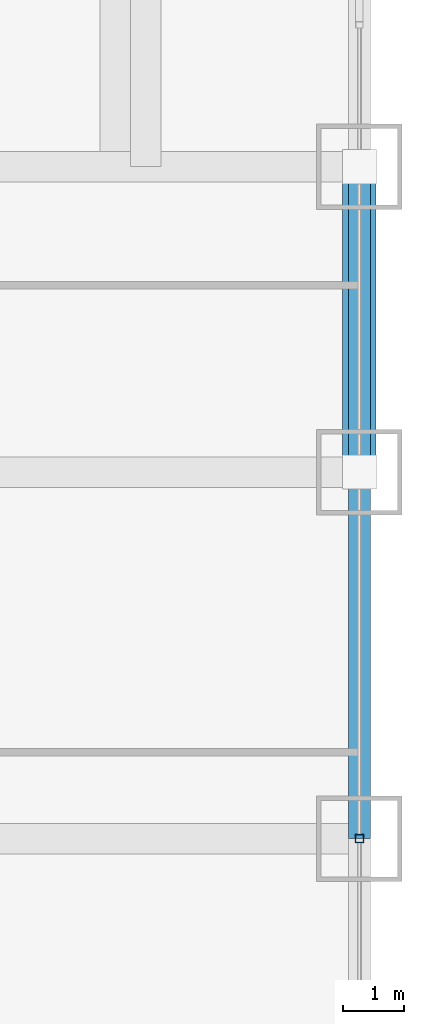
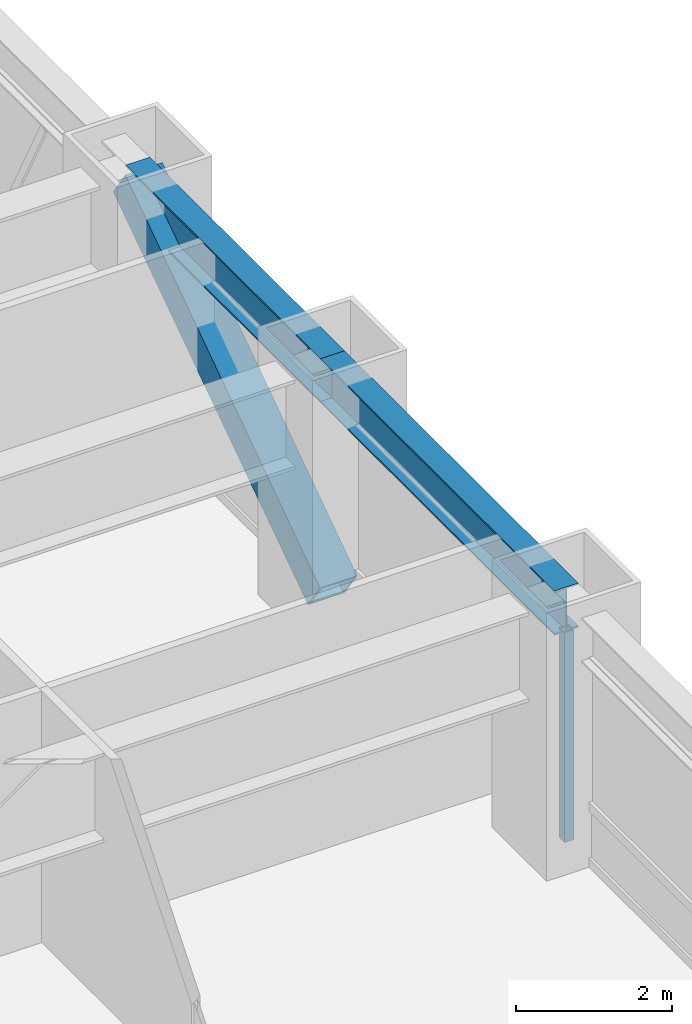
# One storey, part 14 of 29: 2 beams, 2 members, 1 element without a shape of its own.
"""IFC4 building model written with IfcOpenShell, lengths in metres."""

from ifc_helpers import new_model, si_unit, direction, frame, origin, origin_2d, place, context, subcontext, project, spatial, hollow_rectangle, i_section, extrude, source, transform, mapped, material, material_profile, profile_set, type_object, element, aggregate, save


model = new_model("IFC4")

# Units and contexts
model_context = context("Model", 3, precision=1e-05, world=origin(), true_north=direction((0.0, 1.0)))
body_context = subcontext(model_context, "Body", "Model", "MODEL_VIEW")
ifc_project = project(units=[si_unit("LENGTHUNIT", "METRE"), si_unit("AREAUNIT", "SQUARE_METRE"), si_unit("VOLUMEUNIT", "CUBIC_METRE"), si_unit("PLANEANGLEUNIT", "RADIAN"), si_unit("MASSUNIT", "GRAM", prefix="KILO")], contexts=[model_context])

# Site, building, storey
site_placement = place(None, origin())
site = spatial("IfcSite", under=ifc_project, at=site_placement, CompositionType="ELEMENT")
building_placement = place(site_placement, origin())
building = spatial("IfcBuilding", under=site, at=building_placement, Name="Khorayat Bourse Tower", CompositionType="ELEMENT")
storey_placement = place(building_placement, frame((0.0, 0.0, 87.199951171875)))
storey = spatial("IfcBuildingStorey", under=building, at=storey_placement, Name="L19", CompositionType="ELEMENT", Elevation=87.199951171875)

# Beams
ifc_material_1 = material(Name="Steel ASTM A992 Grade 50", Category="steel")
ifc_material_profile_1 = material_profile(ifc_material_1, i_section(OverallWidth=0.35498046875, OverallDepth=0.695068359375, WebThickness=0.015380859375, FlangeThickness=0.02490234375, FilletRadius=0.01806640625, at=origin_2d()), Name="W690X217")
ifc_profile_set_1 = profile_set([ifc_material_profile_1], Name="Steel ASTM A992 Grade 50")
beam_type = type_object("IfcBeamType", Name="BM-SPAN-690", PredefinedType="SPANDREL", material=ifc_profile_set_1)
shared_shape_1 = source(origin(), body_context, "Body", "SweptSolid", [
    extrude(i_section(OverallWidth=0.35498046875, OverallDepth=0.695068359375, WebThickness=0.015380859375, FlangeThickness=0.02490234375, FilletRadius=0.01806640625, at=origin_2d()), origin(), (0.0, 0.0, 1.0), 5.0),
])
beam_1_placement = place(storey_placement, frame((32.0, 6.0, 3.592529296875), z_axis=(0.0, 1.0, 0.0), x_axis=(-1.0, 0.0, 0.0)))
element("IfcBeam", 1, at=beam_1_placement, inside=storey, type_object=beam_type, Name="L19 BM-SPAN-690 BM-L19-SPN-039", PredefinedType="SPANDREL", context=body_context, shape_type="MappedRepresentation", body=[
    mapped(shared_shape_1, transform((0.0, 0.0, 0.0), scale=1.0)),
])
shared_shape_2 = source(origin(), body_context, "Body", "SweptSolid", [
    extrude(i_section(OverallWidth=0.35498046875, OverallDepth=0.695068359375, WebThickness=0.015380859375, FlangeThickness=0.02490234375, FilletRadius=0.01806640625, at=origin_2d()), origin(), (0.0, 0.0, 1.0), 6.0),
])
beam_2_placement = place(storey_placement, frame((32.0, 0.0, 3.592529296875), z_axis=(0.0, 1.0, 0.0), x_axis=(-1.0, 0.0, 0.0)))
element("IfcBeam", 2, at=beam_2_placement, inside=storey, type_object=beam_type, Name="L19 BM-SPAN-690 BM-L19-SPN-038", PredefinedType="SPANDREL", context=body_context, shape_type="MappedRepresentation", body=[
    mapped(shared_shape_2, transform((0.0, 0.0, 0.0), scale=1.0)),
])

# Member
ifc_material_2 = material(Name="Steel EN 10025-4 S460M", Category="steel")
ifc_material_profile_2 = material_profile(ifc_material_2, hollow_rectangle(XDim=0.550048828125, YDim=0.550048828125, WallThickness=0.031982421875, at=origin_2d()), Name="HSS 550x550x32")
ifc_profile_set_2 = profile_set([ifc_material_profile_2], Name="Steel EN 10025-4 S460M")
member_type_1 = type_object("IfcMemberType", Name="MBR-TUBE-550", PredefinedType="BRACE", material=ifc_profile_set_2)
shared_shape_3 = source(origin(), body_context, "Body", "SweptSolid", [
    extrude(hollow_rectangle(XDim=0.550048828125, YDim=0.550048828125, WallThickness=0.031982421875, at=origin_2d()), origin(), (0.0, 0.0, 1.0), 6.069091796875),
])
member_1_placement = place(storey_placement, frame((32.0, 6.0, 0.25), z_axis=(0.0, 0.823854080622, 0.566801952928), x_axis=(-1.0, 0.0, 0.0)))
element("IfcMember", 3, at=member_1_placement, inside=storey, type_object=member_type_1, Name="L19 Perimeter Tube Brace 08", PredefinedType="BRACE", context=body_context, shape_type="MappedRepresentation", body=[
    mapped(shared_shape_3, transform((0.0, 0.0, 0.0), scale=1.0)),
])

# Curtain wall, member
ifc_material_3 = material(Name="Aluminium EN AW-6063 T6", Category="aluminium")
curtain_wall_type = type_object("IfcCurtainWallType", Name="CW-SYS-02", PredefinedType="NOTDEFINED", material=ifc_material_3)
curtain_wall_placement = place(storey_placement, origin())
curtain_wall = element("IfcCurtainWall", 4, at=curtain_wall_placement, inside=storey, type_object=curtain_wall_type, Name="L19 Curtain Wall CW-L19-E1", PredefinedType="NOTDEFINED")
ifc_material_profile_3 = material_profile(ifc_material_3, hollow_rectangle(XDim=0.139892578125, YDim=0.139892578125, WallThickness=0.006103515625, at=origin_2d()), Name="ALU 140x140x6")
ifc_profile_set_3 = profile_set([ifc_material_profile_3], Name="Aluminium EN AW-6063 T6")
member_type_2 = type_object("IfcMemberType", Name="CWM-VERT-140", PredefinedType="MULLION", material=ifc_profile_set_3)
shared_shape_4 = source(origin(), body_context, "Body", "SweptSolid", [
    extrude(hollow_rectangle(XDim=0.139892578125, YDim=0.139892578125, WallThickness=0.006103515625, at=origin_2d()), origin(), (0.0, 0.0, 1.0), 3.2900390625),
])
member_2_placement = place(storey_placement, frame((32.0, 0.0, 0.0), z_axis=(0.0, 0.0, 1.0), x_axis=(-1.0, 0.0, 0.0)))
member_2 = element("IfcMember", 5, at=member_2_placement, type_object=member_type_2, Name="CW-L19-E1 Vertical Mullion 2", PredefinedType="MULLION", context=body_context, shape_type="MappedRepresentation", body=[
    mapped(shared_shape_4, transform((0.0, 0.0, 0.0), scale=1.0)),
])
aggregate(curtain_wall, [member_2])

save(model, "model.ifc")
